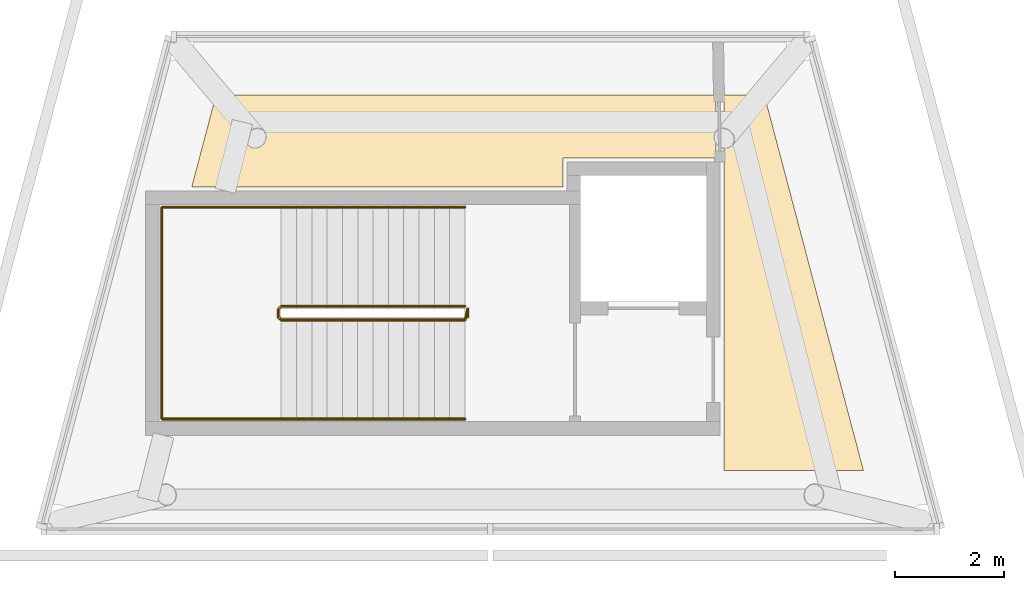
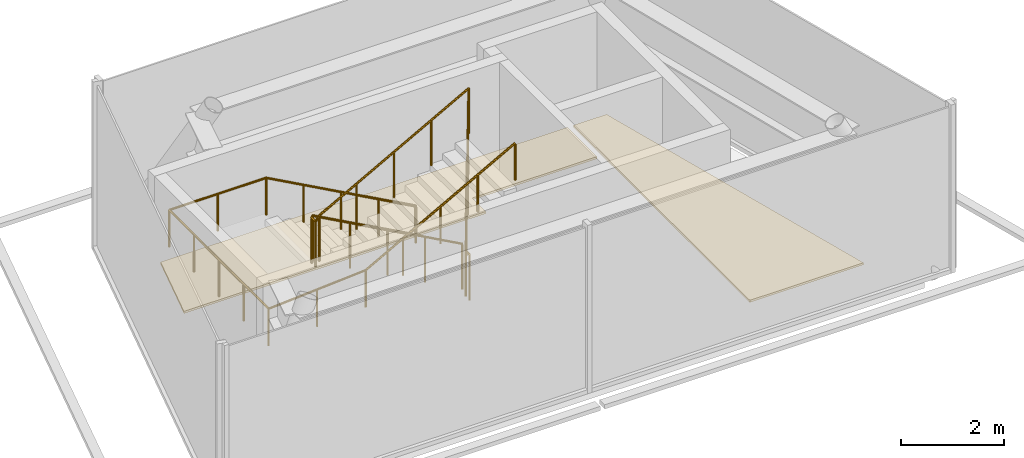
# One storey, part 3 of 3: 2 coverings, 2 railings.
"""IFC4 building model written with IfcOpenShell, lengths in metres."""

from ifc_helpers import new_model, si_unit, direction, frame, origin, origin_2d, place, context, subcontext, project, spatial, polyline, circle, outline, extrude, material, layer, layer_set, type_object, element, save


model = new_model("IFC4")

# Units and contexts
model_context = context("Model", 3, precision=1e-05, world=origin(), true_north=direction((0.0, 1.0)))
body_context = subcontext(model_context, "Body", "Model", "MODEL_VIEW")
ifc_project = project(units=[si_unit("LENGTHUNIT", "METRE"), si_unit("AREAUNIT", "SQUARE_METRE"), si_unit("VOLUMEUNIT", "CUBIC_METRE"), si_unit("PLANEANGLEUNIT", "RADIAN"), si_unit("MASSUNIT", "GRAM", prefix="KILO")], contexts=[model_context])

# Site, building, storey
site_placement = place(None, origin())
site = spatial("IfcSite", under=ifc_project, at=site_placement, CompositionType="ELEMENT")
building_placement = place(site_placement, origin())
building = spatial("IfcBuilding", under=site, at=building_placement, Name="Quipu Civic Tower", CompositionType="ELEMENT")
storey_placement = place(building_placement, frame((0.0, 0.0, 388.0)))
storey = spatial("IfcBuildingStorey", under=building, at=storey_placement, Name="L90", CompositionType="ELEMENT", Elevation=388.0)

# Coverings
ifc_material_1 = material(Name="Sealed cement screed")
ifc_layer = layer(ifc_material_1, 0.050048828125)
ifc_layer_set = layer_set([ifc_layer], Name="Sealed cement screed")
covering_type = type_object("IfcCoveringType", Name="Sealed screed floor finish 50", PredefinedType="FLOORING", material=ifc_layer_set)
covering_1_placement = place(storey_placement, origin())
element("IfcCovering", 1, at=covering_1_placement, inside=storey, type_object=covering_type, Name="Sealed screed floor finish 50", PredefinedType="FLOORING", context=body_context, shape_type="SweptSolid", body=[
    extrude(outline(polyline([(4.1298828125, -1.3798828125), (1.330078125, -1.3798828125), (1.330078125, -1.909912109375), (-5.455078125, -1.909912109375), (-5.010986328125, -0.22998046875), (4.1298828125, -0.22998046875), (4.1298828125, -1.3798828125)])), origin(), (0.0, 0.0, 1.0), 0.050048828125),
])
covering_2_placement = place(storey_placement, origin())
element("IfcCovering", 2, at=covering_2_placement, inside=storey, type_object=covering_type, Name="Sealed screed floor finish 50", PredefinedType="FLOORING", context=body_context, shape_type="SweptSolid", body=[
    extrude(outline(polyline([(4.27001953125, -0.22998046875), (5.010986328125, -0.22998046875), (6.822021484375, -7.090087890625), (4.27001953125, -7.090087890625), (4.27001953125, -0.22998046875)])), origin(), (0.0, 0.0, 1.0), 0.050048828125),
])

# Railings
ifc_material_2 = material(Name="Stainless steel", Category="steel")
railing_type_1 = type_object("IfcRailingType", Name="Stair guard 1100", PredefinedType="GUARDRAIL", material=ifc_material_2)
railing_1_placement = place(storey_placement, frame((-0.4599609375, -4.090087890625, 0.15380859375)))
element("IfcRailing", 3, at=railing_1_placement, inside=storey, type_object=railing_type_1, Name="Stair 5 guard", PredefinedType="GUARDRAIL", context=body_context, shape_type="SweptSolid", body=[
    extrude(circle(Radius=0.02392578125, at=origin_2d()), frame((0.0, 0.0, 1.076171875), z_axis=(-0.876421534553, 0.0, 0.481544695509), x_axis=(0.0, -1.0, 0.0)), (0.0, 0.0, 1.0), 3.833984375),
    extrude(circle(Radius=0.02392578125, at=origin_2d()), frame((-3.360107421875, 0.0, 2.92236328125), z_axis=(-0.708833529934, -0.705375805398, 0.0), x_axis=(0.705375805398, -0.708833529934, 0.0)), (0.0, 0.0, 1.0), 0.070556640625),
    extrude(circle(Radius=0.02392578125, at=origin_2d()), frame((-3.41015625, -0.0498046875, 2.92236328125), z_axis=(0.0, -1.0, 0.0), x_axis=(1.0, 0.0, 0.0)), (0.0, 0.0, 1.0), 0.150146484375),
    extrude(circle(Radius=0.02392578125, at=origin_2d()), frame((-3.41015625, -0.199951171875, 2.92236328125), z_axis=(0.295599637079, -0.295599637079, 0.908428152975), x_axis=(0.707106781187, 0.707106781187, 0.0)), (0.0, 0.0, 1.0), 0.16943359375),
    extrude(circle(Radius=0.02392578125, at=origin_2d()), frame((-3.360107421875, -0.25, 3.076171875), z_axis=(0.876421534553, 0.0, 0.481544695509), x_axis=(0.0, 1.0, 0.0)), (0.0, 0.0, 1.0), 3.833984375),
    extrude(circle(Radius=0.02392578125, at=origin_2d()), frame((0.0, -0.25, 4.92236328125), z_axis=(0.012495589946, 0.049982359782, -0.998671930086), x_axis=(-0.970142500145, 0.242535625036, 0.0)), (0.0, 0.0, 1.0), 4.00537109375),
    extrude(circle(Radius=0.02392578125, at=origin_2d()), frame((0.050048828125, -0.0498046875, 0.92236328125), z_axis=(0.0, -1.0, 0.0), x_axis=(1.0, 0.0, 0.0)), (0.0, 0.0, 1.0), 0.150146484375),
    extrude(circle(Radius=0.02099609375, at=origin_2d()), origin(), (0.0, 0.0, 1.0), 1.052001953125),
    extrude(circle(Radius=0.02099609375, at=origin_2d()), frame((-0.840087890625, 0.0, 0.46142578125)), (0.0, 0.0, 1.0), 1.052001953125),
    extrude(circle(Radius=0.02099609375, at=origin_2d()), frame((-1.68017578125, 0.0, 0.923095703125)), (0.0, 0.0, 1.0), 1.052001953125),
    extrude(circle(Radius=0.02099609375, at=origin_2d()), frame((-2.52001953125, 0.0, 1.384765625)), (0.0, 0.0, 1.0), 1.052001953125),
    extrude(circle(Radius=0.02099609375, at=origin_2d()), frame((-3.360107421875, 0.0, 1.84619140625)), (0.0, 0.0, 1.0), 1.052001953125),
    extrude(circle(Radius=0.02099609375, at=origin_2d()), frame((-3.41015625, -0.0498046875, 1.84619140625)), (0.0, 0.0, 1.0), 1.052001953125),
    extrude(circle(Radius=0.02099609375, at=origin_2d()), frame((-3.41015625, -0.199951171875, 1.84619140625)), (0.0, 0.0, 1.0), 1.052001953125),
    extrude(circle(Radius=0.02099609375, at=origin_2d()), frame((-3.360107421875, -0.25, 2.0)), (0.0, 0.0, 1.0), 1.052001953125),
    extrude(circle(Radius=0.02099609375, at=origin_2d()), frame((-2.52001953125, -0.25, 2.46142578125)), (0.0, 0.0, 1.0), 1.052001953125),
    extrude(circle(Radius=0.02099609375, at=origin_2d()), frame((-1.68017578125, -0.25, 2.923095703125)), (0.0, 0.0, 1.0), 1.052001953125),
    extrude(circle(Radius=0.02099609375, at=origin_2d()), frame((-0.840087890625, -0.25, 3.384765625)), (0.0, 0.0, 1.0), 1.052001953125),
    extrude(circle(Radius=0.02099609375, at=origin_2d()), frame((0.0, -0.25, 3.84619140625)), (0.0, 0.0, 1.0), 1.052001953125),
    extrude(circle(Radius=0.02099609375, at=origin_2d()), frame((0.012451171875, -0.199951171875, 2.84619140625)), (0.0, 0.0, 1.0), 1.052001953125),
    extrude(circle(Radius=0.02099609375, at=origin_2d()), frame((0.02490234375, -0.14990234375, 1.84619140625)), (0.0, 0.0, 1.0), 1.052001953125),
    extrude(circle(Radius=0.02099609375, at=origin_2d()), frame((0.03759765625, -0.099853515625, 0.84619140625)), (0.0, 0.0, 1.0), 1.052001953125),
    extrude(circle(Radius=0.02099609375, at=origin_2d()), frame((0.050048828125, -0.0498046875, -0.15380859375)), (0.0, 0.0, 1.0), 1.052001953125),
    extrude(circle(Radius=0.02099609375, at=origin_2d()), frame((0.050048828125, -0.199951171875, -0.15380859375)), (0.0, 0.0, 1.0), 1.052001953125),
])
ifc_material_3 = material(Name="Stainless steel", Category="steel")
railing_type_2 = type_object("IfcRailingType", Name="Stair handrail", PredefinedType="HANDRAIL", material=ifc_material_3)
railing_2_placement = place(storey_placement, frame((-0.4599609375, -2.280029296875, 0.15380859375)))
element("IfcRailing", 4, at=railing_2_placement, inside=storey, type_object=railing_type_2, Name="Stair 5 handrail", PredefinedType="HANDRAIL", context=body_context, shape_type="SweptSolid", body=[
    extrude(circle(Radius=0.02392578125, at=origin_2d()), frame((0.0, 0.0, 0.8759765625), z_axis=(-0.876421534553, 0.0, 0.481544695509), x_axis=(0.0, -1.0, 0.0)), (0.0, 0.0, 1.0), 3.833984375),
    extrude(circle(Radius=0.02392578125, at=origin_2d()), frame((-3.360107421875, 0.0, 2.72216796875), z_axis=(-1.0, 0.0, 0.0), x_axis=(0.0, -1.0, 0.0)), (0.0, 0.0, 1.0), 2.179931640625),
    extrude(circle(Radius=0.02392578125, at=origin_2d()), frame((-5.5400390625, 0.0, 2.72216796875), z_axis=(0.0, -1.0, 0.0), x_axis=(1.0, 0.0, 0.0)), (0.0, 0.0, 1.0), 3.869873046875),
    extrude(circle(Radius=0.02392578125, at=origin_2d()), frame((-5.5400390625, -3.869873046875, 2.72216796875), z_axis=(0.997520137335, 0.0, 0.070381642572), x_axis=(0.0, 1.0, 0.0)), (0.0, 0.0, 1.0), 2.185302734375),
    extrude(circle(Radius=0.02392578125, at=origin_2d()), frame((-3.360107421875, -3.869873046875, 2.8759765625), z_axis=(0.876421534553, 0.0, 0.481544695509), x_axis=(0.0, 1.0, 0.0)), (0.0, 0.0, 1.0), 3.833984375),
    extrude(circle(Radius=0.02099609375, at=origin_2d()), origin(), (0.0, 0.0, 1.0), 0.851806640625),
    extrude(circle(Radius=0.02099609375, at=origin_2d()), frame((-0.840087890625, 0.0, 0.46142578125)), (0.0, 0.0, 1.0), 0.851806640625),
    extrude(circle(Radius=0.02099609375, at=origin_2d()), frame((-1.68017578125, 0.0, 0.923095703125)), (0.0, 0.0, 1.0), 0.851806640625),
    extrude(circle(Radius=0.02099609375, at=origin_2d()), frame((-2.52001953125, 0.0, 1.384765625)), (0.0, 0.0, 1.0), 0.851806640625),
    extrude(circle(Radius=0.02099609375, at=origin_2d()), frame((-3.360107421875, 0.0, 1.84619140625)), (0.0, 0.0, 1.0), 0.851806640625),
    extrude(circle(Radius=0.02099609375, at=origin_2d()), frame((-4.4501953125, 0.0, 1.84619140625)), (0.0, 0.0, 1.0), 0.851806640625),
    extrude(circle(Radius=0.02099609375, at=origin_2d()), frame((-5.5400390625, 0.0, 1.84619140625)), (0.0, 0.0, 1.0), 0.851806640625),
    extrude(circle(Radius=0.02099609375, at=origin_2d()), frame((-5.5400390625, -0.967529296875, 1.84619140625)), (0.0, 0.0, 1.0), 0.851806640625),
    extrude(circle(Radius=0.02099609375, at=origin_2d()), frame((-5.5400390625, -1.93505859375, 1.84619140625)), (0.0, 0.0, 1.0), 0.851806640625),
    extrude(circle(Radius=0.02099609375, at=origin_2d()), frame((-5.5400390625, -2.90234375, 1.84619140625)), (0.0, 0.0, 1.0), 0.851806640625),
    extrude(circle(Radius=0.02099609375, at=origin_2d()), frame((-5.5400390625, -3.869873046875, 1.84619140625)), (0.0, 0.0, 1.0), 0.851806640625),
    extrude(circle(Radius=0.02099609375, at=origin_2d()), frame((-4.4501953125, -3.869873046875, 1.923095703125)), (0.0, 0.0, 1.0), 0.851806640625),
    extrude(circle(Radius=0.02099609375, at=origin_2d()), frame((-3.360107421875, -3.869873046875, 2.0)), (0.0, 0.0, 1.0), 0.851806640625),
    extrude(circle(Radius=0.02099609375, at=origin_2d()), frame((-2.52001953125, -3.869873046875, 2.46142578125)), (0.0, 0.0, 1.0), 0.851806640625),
    extrude(circle(Radius=0.02099609375, at=origin_2d()), frame((-1.68017578125, -3.869873046875, 2.923095703125)), (0.0, 0.0, 1.0), 0.851806640625),
    extrude(circle(Radius=0.02099609375, at=origin_2d()), frame((-0.840087890625, -3.869873046875, 3.384765625)), (0.0, 0.0, 1.0), 0.851806640625),
    extrude(circle(Radius=0.02099609375, at=origin_2d()), frame((0.0, -3.869873046875, 3.84619140625)), (0.0, 0.0, 1.0), 0.851806640625),
])

save(model, "model.ifc")
